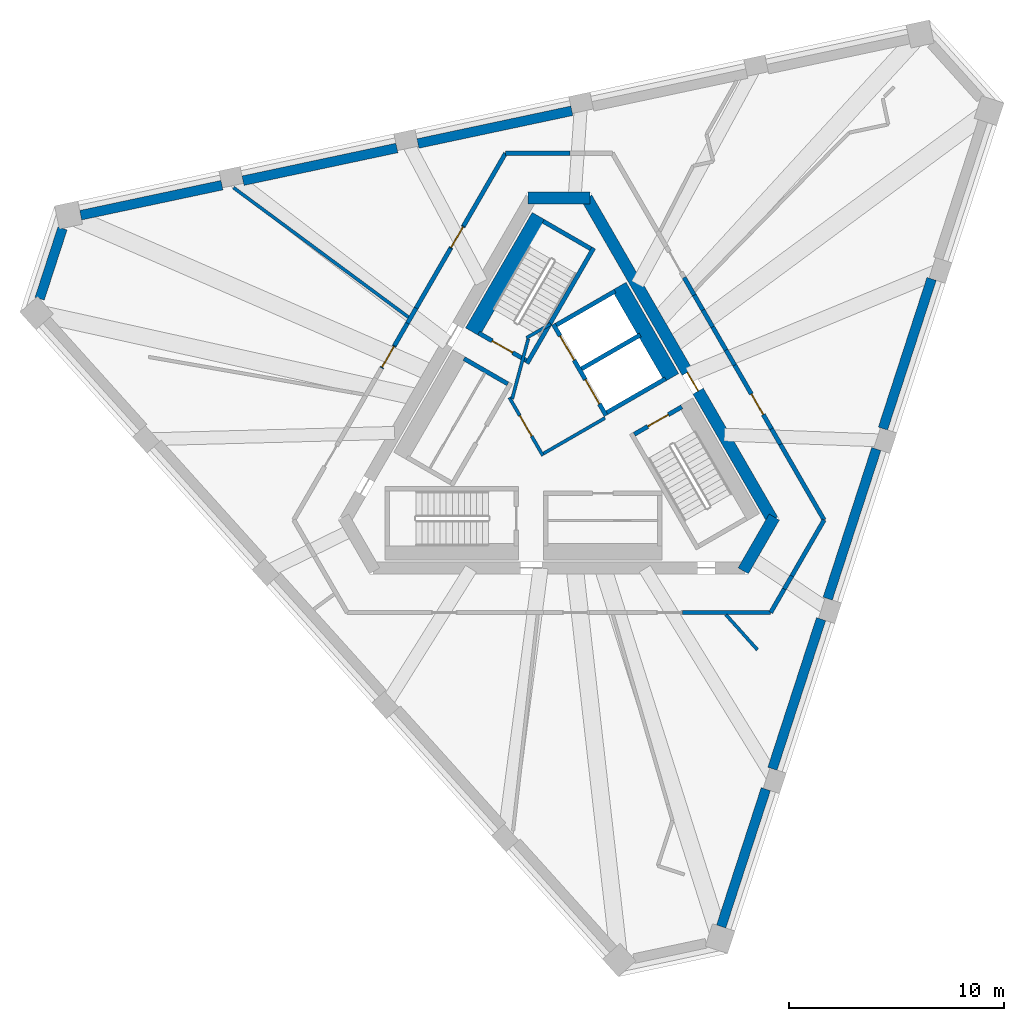
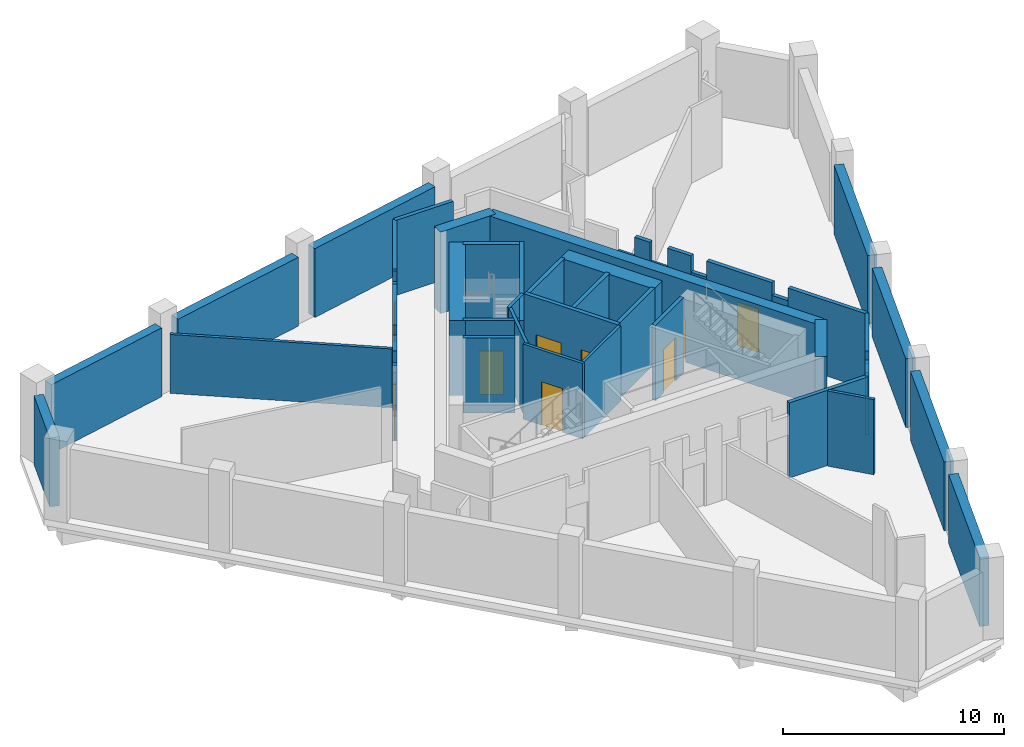
# One storey, part 3 of 5: 47 walls, 9 doors, 9 openings.
"""IFC4 building model written with IfcOpenShell, lengths in metres."""

from ifc_helpers import new_model, si_unit, direction, frame, frame_2d, origin, place, context, subcontext, project, spatial, polyline, rectangle, outline, extrude, material, layer, layer_set, type_object, element, fill, save


model = new_model("IFC4")

# Units and contexts
model_context = context("Model", 3, precision=1e-05, world=origin(), true_north=direction((0.0, 1.0)))
body_context = subcontext(model_context, "Body", "Model", "MODEL_VIEW")
ifc_project = project(units=[si_unit("LENGTHUNIT", "METRE"), si_unit("AREAUNIT", "SQUARE_METRE"), si_unit("VOLUMEUNIT", "CUBIC_METRE"), si_unit("PLANEANGLEUNIT", "RADIAN"), si_unit("MASSUNIT", "GRAM", prefix="KILO")], contexts=[model_context])

# Site, building, storey
site_placement = place(None, origin())
site = spatial("IfcSite", under=ifc_project, at=site_placement, CompositionType="ELEMENT")
building_placement = place(site_placement, origin())
building = spatial("IfcBuilding", under=site, at=building_placement, Name="Tramontana Tower", CompositionType="ELEMENT")
storey_placement = place(building_placement, frame((0.0, 0.0, 370.39990234375)))
storey = spatial("IfcBuildingStorey", under=building, at=storey_placement, Name="L85", CompositionType="ELEMENT", Elevation=370.39990234375)

# Walls
ifc_material_1 = material(Name="Concrete 70 MPa", Category="concrete")
ifc_layer_1 = layer(ifc_material_1, 0.550048828125)
ifc_layer_set_1 = layer_set([ifc_layer_1], Name="Core wall 550 70 MPa")
wall_type_1 = type_object("IfcWallType", Name="Core wall 550 70 MPa", PredefinedType="SHEAR", material=ifc_layer_set_1)
for number, where, z_axis, x_axis, name in (
    (1, (1.443359375, 10.72509765625, 0.0), (0.0, 0.0, 1.0), (-1.0, 0.0, 0.0), "Core wall C0 L85"),
    (2, (8.56640625, -6.612548828125, 0.0), (0.0, 0.0, 1.0), (0.499995765644, 0.866027848477, 0.0), "Core wall C4 L85"),
):
    element("IfcWall", number, at=place(storey_placement, frame(where, z_axis=z_axis, x_axis=x_axis)), inside=storey, type_object=wall_type_1, Name=name, PredefinedType="SHEAR", context=body_context, shape_type="SweptSolid", body=[
        extrude(rectangle(XDim=2.88671875, YDim=0.550048828125, at=frame_2d((1.443359375, 0.0))), origin(), (0.0, 0.0, 1.0), 4.5),
    ])

# Wall, opening, door
wall_1_placement = place(storey_placement, frame((9.930419921875, -4.25, 0.0), z_axis=(0.0, 0.0, 1.0), x_axis=(-0.499994590896, 0.86602852671, 0.0)))
wall_1 = element("IfcWall", 3, at=wall_1_placement, inside=storey, type_object=wall_type_1, Name="Core wall C5 L85", PredefinedType="SHEAR", context=body_context, shape_type="SweptSolid", body=[
    extrude(rectangle(XDim=17.291748046875, YDim=0.550048828125, at=frame_2d((8.64599609375, 0.0))), origin(), (0.0, 0.0, 1.0), 4.5),
])
opening_1_placement = place(wall_1_placement, frame((6.9208984375, 0.0, 0.0)))
opening_1 = element("IfcOpeningElement", 4, at=opening_1_placement, cuts=wall_1, Name="Opening RG3", PredefinedType="OPENING", context=body_context, shape_type="SweptSolid", body=[
    extrude(rectangle(XDim=1.0, YDim=2.39990234375, at=frame_2d((0.5, 1.199951171875))), frame((0.0, 0.284912109375, 0.0), z_axis=(0.0, -1.0, 0.0), x_axis=(1.0, 0.0, 0.0)), (0.0, 0.0, 1.0), 0.570068359375),
])
ifc_material_2 = material(Name="Painted steel", Category="steel")
door_type_1 = type_object("IfcDoorType", Name="RING DOOR 1000", OperationType="SINGLE_SWING_LEFT", PredefinedType="DOOR", material=ifc_material_2)
door_1_placement = place(opening_1_placement, origin())
door_1 = element("IfcDoor", 5, at=door_1_placement, inside=storey, type_object=door_type_1, Name="Door RG3", OperationType="SINGLE_SWING_RIGHT", OverallHeight=2.39990234375, OverallWidth=1.0, PredefinedType="DOOR", context=body_context, shape_type="SweptSolid", body=[
    extrude(rectangle(XDim=1.0, YDim=2.39990234375, at=frame_2d((0.5, 1.199951171875))), frame((0.0, 0.02490234375, 0.0), z_axis=(0.0, -1.0, 0.0), x_axis=(1.0, 0.0, 0.0)), (0.0, 0.0, 1.0), 0.050048828125),
])
fill(opening_1, door_1)

# Walls
ifc_material_3 = material(Name="Blockwork", Category="masonry")
ifc_layer_2 = layer(ifc_material_3, 0.199951171875)
ifc_layer_set_2 = layer_set([ifc_layer_2], Name="ENTRY WALL 200")
wall_type_2 = type_object("IfcWallType", Name="ENTRY WALL 200", PredefinedType="SOLIDWALL", material=ifc_layer_set_2)
wall_2_placement = place(storey_placement, frame((12.326416015625, -4.25, 0.0), z_axis=(0.0, 0.0, 1.0), x_axis=(-0.500003959331, -0.866023117852, 0.0)))
element("IfcWall", 6, at=wall_2_placement, inside=storey, type_object=wall_type_2, Name="Wall ew0-0", PredefinedType="SOLIDWALL", context=body_context, shape_type="SweptSolid", body=[
    extrude(rectangle(XDim=3.0029296875, YDim=0.199951171875, at=frame_2d((1.50146484375, 0.0))), origin(), (0.0, 0.0, 1.0), 4.150146484375),
])
wall_3_placement = place(storey_placement, frame((10.824951171875, -6.8505859375, 0.0), z_axis=(0.0, 0.0, 1.0), x_axis=(-0.500144223137, -0.865942120504, 0.0)))
element("IfcWall", 7, at=wall_3_placement, inside=storey, type_object=wall_type_2, Name="Wall ew0-1", PredefinedType="SOLIDWALL", context=body_context, shape_type="SweptSolid", body=[
    extrude(rectangle(XDim=0.701416015625, YDim=0.199951171875, at=frame_2d((0.3505859375, 0.0))), origin(), (0.0, 0.0, 1.0), 3.4501953125),
])
wall_4_placement = place(storey_placement, frame((10.47412109375, -7.4580078125, 0.0), z_axis=(0.0, 0.0, 1.0), x_axis=(-0.499929168788, -0.866066294342, 0.0)))
element("IfcWall", 8, at=wall_4_placement, inside=storey, type_object=wall_type_2, Name="Wall ew0-2", PredefinedType="SOLIDWALL", context=body_context, shape_type="SweptSolid", body=[
    extrude(rectangle(XDim=1.260986328125, YDim=0.199951171875, at=frame_2d((0.63037109375, 0.0))), origin(), (0.0, 0.0, 1.0), 4.150146484375),
])
wall_5_placement = place(storey_placement, frame((9.84375, -8.550048828125, 0.0), z_axis=(0.0, 0.0, 1.0), x_axis=(-1.0, 0.0, 0.0)))
element("IfcWall", 9, at=wall_5_placement, inside=storey, type_object=wall_type_2, Name="Wall ew1-0", PredefinedType="SOLIDWALL", context=body_context, shape_type="SweptSolid", body=[
    extrude(rectangle(XDim=4.11083984375, YDim=0.199951171875, at=frame_2d((2.055419921875, 0.0))), origin(), (0.0, 0.0, 1.0), 4.150146484375),
])

# Wall, opening, door
wall_6_placement = place(storey_placement, frame((-8.2490234375, 2.812255859375, 0.0), z_axis=(0.0, 0.0, 1.0), x_axis=(0.500033551112, 0.866006032174, 0.0)))
wall_6 = element("IfcWall", 10, at=wall_6_placement, inside=storey, type_object=wall_type_2, Name="Wall ew3-5", PredefinedType="SOLIDWALL", context=body_context, shape_type="SweptSolid", body=[
    extrude(outline(polyline([(0.0, 0.0), (1.2001953125, 0.0), (1.199951171875, 3.050048828125), (0.266845703125, 3.050048828125), (0.266845703125, 4.150146484375), (0.0, 4.150146484375), (0.0, 0.0)])), frame((0.0, 0.10009765625, 0.0), z_axis=(0.0, -1.0, 0.0), x_axis=(1.0, 0.0, 0.0)), (0.0, 0.0, 1.0), 0.199951171875),
])
opening_2_placement = place(wall_6_placement, frame((0.050048828125, 0.0, 0.0)))
opening_2 = element("IfcOpeningElement", 11, at=opening_2_placement, cuts=wall_6, Name="Opening L85-03", PredefinedType="OPENING", context=body_context, shape_type="SweptSolid", body=[
    extrude(rectangle(XDim=1.10009765625, YDim=2.39990234375, at=frame_2d((0.550048828125, 1.199951171875))), frame((0.0, 0.10986328125, 0.0), z_axis=(0.0, -1.0, 0.0), x_axis=(1.0, 0.0, 0.0)), (0.0, 0.0, 1.0), 0.219970703125),
])
ifc_material_4 = material(Name="Painted timber", Category="wood")
door_type_2 = type_object("IfcDoorType", Name="DOOR ENTRY 1100", OperationType="SINGLE_SWING_LEFT", PredefinedType="DOOR", material=ifc_material_4)
door_2_placement = place(opening_2_placement, origin())
door_2 = element("IfcDoor", 12, at=door_2_placement, inside=storey, type_object=door_type_2, Name="Door L85-03", OperationType="SINGLE_SWING_LEFT", OverallHeight=2.39990234375, OverallWidth=1.10009765625, PredefinedType="DOOR", context=body_context, shape_type="SweptSolid", body=[
    extrude(rectangle(XDim=1.10009765625, YDim=2.39990234375, at=frame_2d((0.550048828125, 1.199951171875))), frame((0.0, 0.02490234375, 0.0), z_axis=(0.0, -1.0, 0.0), x_axis=(1.0, 0.0, 0.0)), (0.0, 0.0, 1.0), 0.050048828125),
])
fill(opening_2, door_2)

# Walls
wall_7_placement = place(storey_placement, frame((-7.64892578125, 3.8515625, 0.0), z_axis=(0.0, 0.0, 1.0), x_axis=(0.49989119468, 0.866088213453, 0.0)))
element("IfcWall", 13, at=wall_7_placement, inside=storey, type_object=wall_type_2, Name="Wall ew3-6", PredefinedType="SOLIDWALL", context=body_context, shape_type="SweptSolid", body=[
    extrude(rectangle(XDim=1.210693359375, YDim=0.199951171875, at=frame_2d((0.60546875, 0.0))), origin(), (0.0, 0.0, 1.0), 4.150146484375),
])
wall_8_placement = place(storey_placement, frame((-7.043701171875, 4.900146484375, 0.0), z_axis=(0.0, 0.0, 1.0), x_axis=(0.500141487433, 0.865943700565, 0.0)))
element("IfcWall", 14, at=wall_8_placement, inside=storey, type_object=wall_type_2, Name="Wall ew3-7", PredefinedType="SOLIDWALL", context=body_context, shape_type="SweptSolid", body=[
    extrude(rectangle(XDim=0.806884765625, YDim=0.199951171875, at=frame_2d((0.4033203125, 0.0))), origin(), (0.0, 0.0, 1.0), 3.25),
])
wall_9_placement = place(storey_placement, frame((-6.64013671875, 5.598876953125, 0.0), z_axis=(0.0, 0.0, 1.0), x_axis=(0.49996417229, 0.866046087934, 0.0)))
element("IfcWall", 15, at=wall_9_placement, inside=storey, type_object=wall_type_2, Name="Wall ew3-8", PredefinedType="SOLIDWALL", context=body_context, shape_type="SweptSolid", body=[
    extrude(rectangle(XDim=3.205810546875, YDim=0.199951171875, at=frame_2d((1.60302734375, 0.0))), origin(), (0.0, 0.0, 1.0), 4.150146484375),
])

# Wall, opening, door
wall_10_placement = place(storey_placement, frame((-5.037353515625, 8.375244140625, 0.0), z_axis=(0.0, 0.0, 1.0), x_axis=(0.50012165622, 0.865955154139, 0.0)))
wall_10 = element("IfcWall", 16, at=wall_10_placement, inside=storey, type_object=wall_type_2, Name="Wall ew3-9", PredefinedType="SOLIDWALL", context=body_context, shape_type="SweptSolid", body=[
    extrude(outline(polyline([(0.0, 0.0), (1.199951171875, 0.0), (1.199951171875, 4.150146484375), (1.043701171875, 4.150146484375), (1.043701171875, 3.4501953125), (0.21728515625, 3.4501953125), (0.21728515625, 4.150146484375), (0.0, 4.150146484375), (0.0, 0.0)])), frame((0.0, 0.10009765625, 0.0), z_axis=(0.0, -1.0, 0.0), x_axis=(1.0, 0.0, 0.0)), (0.0, 0.0, 1.0), 0.199951171875),
])
opening_3_placement = place(wall_10_placement, frame((0.050048828125, 0.0, 0.0)))
opening_3 = element("IfcOpeningElement", 17, at=opening_3_placement, cuts=wall_10, Name="Opening L85-02", PredefinedType="OPENING", context=body_context, shape_type="SweptSolid", body=[
    extrude(rectangle(XDim=1.10009765625, YDim=2.39990234375, at=frame_2d((0.550048828125, 1.199951171875))), frame((0.0, 0.10986328125, 0.0), z_axis=(0.0, -1.0, 0.0), x_axis=(1.0, 0.0, 0.0)), (0.0, 0.0, 1.0), 0.219970703125),
])
door_3_placement = place(opening_3_placement, origin())
door_3 = element("IfcDoor", 18, at=door_3_placement, inside=storey, type_object=door_type_2, Name="Door L85-02", OperationType="SINGLE_SWING_RIGHT", OverallHeight=2.39990234375, OverallWidth=1.10009765625, PredefinedType="DOOR", context=body_context, shape_type="SweptSolid", body=[
    extrude(rectangle(XDim=1.10009765625, YDim=2.39990234375, at=frame_2d((0.550048828125, 1.199951171875))), frame((0.0, 0.02490234375, 0.0), z_axis=(0.0, -1.0, 0.0), x_axis=(1.0, 0.0, 0.0)), (0.0, 0.0, 1.0), 0.050048828125),
])
fill(opening_3, door_3)

# Walls
wall_11_placement = place(storey_placement, frame((-4.437255859375, 9.414306640625, 0.0), z_axis=(0.0, 0.0, 1.0), x_axis=(0.499967516757, 0.866044157181, 0.0)))
element("IfcWall", 19, at=wall_11_placement, inside=storey, type_object=wall_type_2, Name="Wall ew3-10", PredefinedType="SOLIDWALL", context=body_context, shape_type="SweptSolid", body=[
    extrude(rectangle(XDim=3.909423828125, YDim=0.199951171875, at=frame_2d((1.95458984375, 0.0))), origin(), (0.0, 0.0, 1.0), 4.150146484375),
])
wall_12_placement = place(storey_placement, frame((-2.482666015625, 12.800048828125, 0.0), z_axis=(0.0, 0.0, 1.0), x_axis=(1.0, 0.0, 0.0)))
element("IfcWall", 20, at=wall_12_placement, inside=storey, type_object=wall_type_2, Name="Wall ew4-0", PredefinedType="SOLIDWALL", context=body_context, shape_type="SweptSolid", body=[
    extrude(rectangle(XDim=3.0029296875, YDim=0.199951171875, at=frame_2d((1.50146484375, 0.0))), origin(), (0.0, 0.0, 1.0), 4.150146484375),
])
wall_13_placement = place(storey_placement, frame((5.818115234375, 7.022705078125, 0.0), z_axis=(0.0, 0.0, 1.0), x_axis=(0.500006071987, -0.866021898093, 0.0)))
element("IfcWall", 21, at=wall_13_placement, inside=storey, type_object=wall_type_2, Name="Wall ew5-3", PredefinedType="SOLIDWALL", context=body_context, shape_type="SweptSolid", body=[
    extrude(rectangle(XDim=0.94384765625, YDim=0.199951171875, at=frame_2d((0.471923828125, 0.0))), origin(), (0.0, 0.0, 1.0), 3.050048828125),
])
wall_14_placement = place(storey_placement, frame((6.2900390625, 6.205322265625, 0.0), z_axis=(0.0, 0.0, 1.0), x_axis=(0.500045602705, -0.86599907345, 0.0)))
element("IfcWall", 22, at=wall_14_placement, inside=storey, type_object=wall_type_2, Name="Wall ew5-4", PredefinedType="SOLIDWALL", context=body_context, shape_type="SweptSolid", body=[
    extrude(rectangle(XDim=0.806640625, YDim=0.199951171875, at=frame_2d((0.4033203125, 0.0))), origin(), (0.0, 0.0, 1.0), 4.150146484375),
])
wall_15_placement = place(storey_placement, frame((6.693359375, 5.5068359375, 0.0), z_axis=(0.0, 0.0, 1.0), x_axis=(0.499994660107, -0.866028486751, 0.0)))
element("IfcWall", 23, at=wall_15_placement, inside=storey, type_object=wall_type_2, Name="Wall ew5-5", PredefinedType="SOLIDWALL", context=body_context, shape_type="SweptSolid", body=[
    extrude(rectangle(XDim=0.90576171875, YDim=0.199951171875, at=frame_2d((0.452880859375, 0.0))), origin(), (0.0, 0.0, 1.0), 3.050048828125),
])
wall_16_placement = place(storey_placement, frame((7.146240234375, 4.722412109375, 0.0), z_axis=(0.0, 0.0, 1.0), x_axis=(0.499955681623, -0.866050989499, 0.0)))
element("IfcWall", 24, at=wall_16_placement, inside=storey, type_object=wall_type_2, Name="Wall ew5-6", PredefinedType="SOLIDWALL", context=body_context, shape_type="SweptSolid", body=[
    extrude(rectangle(XDim=1.23828125, YDim=0.199951171875, at=frame_2d((0.619140625, 0.0))), origin(), (0.0, 0.0, 1.0), 4.150146484375),
])
wall_17_placement = place(storey_placement, frame((7.765380859375, 3.64990234375, 0.0), z_axis=(0.0, 0.0, 1.0), x_axis=(0.500141487433, -0.865943700565, 0.0)))
element("IfcWall", 25, at=wall_17_placement, inside=storey, type_object=wall_type_2, Name="Wall ew5-7", PredefinedType="SOLIDWALL", context=body_context, shape_type="SweptSolid", body=[
    extrude(rectangle(XDim=0.806884765625, YDim=0.199951171875, at=frame_2d((0.4033203125, 0.0))), origin(), (0.0, 0.0, 1.0), 3.25),
])

# Wall, opening, door
wall_18_placement = place(storey_placement, frame((8.1689453125, 2.951171875, 0.0), z_axis=(0.0, 0.0, 1.0), x_axis=(0.499959115548, -0.866049007147, 0.0)))
wall_18 = element("IfcWall", 26, at=wall_18_placement, inside=storey, type_object=wall_type_2, Name="Wall ew5-8", PredefinedType="SOLIDWALL", context=body_context, shape_type="SweptSolid", body=[
    extrude(rectangle(XDim=3.423095703125, YDim=0.199951171875, at=frame_2d((1.71142578125, 0.0))), origin(), (0.0, 0.0, 1.0), 4.150146484375),
])
opening_4_placement = place(wall_18_placement, frame((1.55810546875, 0.0, 0.0)))
opening_4 = element("IfcOpeningElement", 27, at=opening_4_placement, cuts=wall_18, Name="Opening L85-08", PredefinedType="OPENING", context=body_context, shape_type="SweptSolid", body=[
    extrude(rectangle(XDim=1.10009765625, YDim=2.39990234375, at=frame_2d((0.550048828125, 1.199951171875))), frame((0.0, 0.10986328125, 0.0), z_axis=(0.0, -1.0, 0.0), x_axis=(1.0, 0.0, 0.0)), (0.0, 0.0, 1.0), 0.219970703125),
])
door_4_placement = place(opening_4_placement, origin())
door_4 = element("IfcDoor", 28, at=door_4_placement, inside=storey, type_object=door_type_2, Name="Door L85-08", OperationType="SINGLE_SWING_RIGHT", OverallHeight=2.39990234375, OverallWidth=1.10009765625, PredefinedType="DOOR", context=body_context, shape_type="SweptSolid", body=[
    extrude(rectangle(XDim=1.10009765625, YDim=2.39990234375, at=frame_2d((0.550048828125, 1.199951171875))), frame((0.0, 0.02490234375, 0.0), z_axis=(0.0, -1.0, 0.0), x_axis=(1.0, 0.0, 0.0)), (0.0, 0.0, 1.0), 0.050048828125),
])
fill(opening_4, door_4)

# Walls
wall_19_placement = place(storey_placement, frame((9.88037109375, -0.013427734375, 0.0), z_axis=(0.0, 0.0, 1.0), x_axis=(0.499952654668, -0.866052736899, 0.0)))
element("IfcWall", 29, at=wall_19_placement, inside=storey, type_object=wall_type_2, Name="Wall ew5-9", PredefinedType="SOLIDWALL", context=body_context, shape_type="SweptSolid", body=[
    extrude(rectangle(XDim=0.826171875, YDim=0.199951171875, at=frame_2d((0.4130859375, 0.0))), origin(), (0.0, 0.0, 1.0), 3.4501953125),
])
wall_20_placement = place(storey_placement, frame((10.29345703125, -0.72900390625, 0.0), z_axis=(0.0, 0.0, 1.0), x_axis=(0.50002046505, -0.86601358796, 0.0)))
element("IfcWall", 30, at=wall_20_placement, inside=storey, type_object=wall_type_2, Name="Wall ew5-10", PredefinedType="SOLIDWALL", context=body_context, shape_type="SweptSolid", body=[
    extrude(rectangle(XDim=4.065673828125, YDim=0.199951171875, at=frame_2d((2.03271484375, 0.0))), origin(), (0.0, 0.0, 1.0), 4.150146484375),
])
ifc_material_5 = material(Name="Precast concrete 60 MPa", Category="concrete")
ifc_layer_3 = layer(ifc_material_5, 0.449951171875)
ifc_layer_set_3 = layer_set([ifc_layer_3], Name="Precast concrete 60 MPa, 450 mm")
wall_type_3 = type_object("IfcWallType", Name="EW1 Stone-faced precast wall 450", PredefinedType="SOLIDWALL", material=ifc_layer_set_3)
wall_21_placement = place(storey_placement, frame((-23.0791015625, 9.304931640625, 0.0), z_axis=(0.0, 0.0, 1.0), x_axis=(-0.309076430482, -0.95103720228, 0.0)))
element("IfcWall", 31, at=wall_21_placement, inside=storey, type_object=wall_type_3, Name="Stone band wall L85 face 0k 1", PredefinedType="SOLIDWALL", context=body_context, shape_type="SweptSolid", body=[
    extrude(rectangle(XDim=3.435302734375, YDim=0.449951171875, at=frame_2d((1.7177734375, 0.0))), origin(), (0.0, 0.0, 1.0), 3.800048828125),
])
wall_22_placement = place(storey_placement, frame((7.541015625, -23.14794921875, 0.0), z_axis=(0.0, 0.0, 1.0), x_axis=(0.309018647645, 0.951055979114, 0.0)))
element("IfcWall", 32, at=wall_22_placement, inside=storey, type_object=wall_type_3, Name="Stone band wall L85 face 1s 1", PredefinedType="SOLIDWALL", context=body_context, shape_type="SweptSolid", body=[
    extrude(rectangle(XDim=6.7138671875, YDim=0.449951171875, at=frame_2d((3.35693359375, 0.0))), origin(), (0.0, 0.0, 1.0), 3.800048828125),
])
for number, where, z_axis, x_axis, name in (
    (33, (9.9248046875, -15.8115234375, 0.0), (0.0, 0.0, 1.0), (0.309008326872, 0.951059332494, 0.0), "Stone band wall L85 face 1s 2"),
    (34, (12.493896484375, -7.904541015625, 0.0), (0.0, 0.0, 1.0), (0.309008326872, 0.951059332494, 0.0), "Stone band wall L85 face 1s 3"),
    (35, (15.06298828125, 0.00244140625, 0.0), (0.0, 0.0, 1.0), (0.309008326872, 0.951059332494, 0.0), "Stone band wall L85 face 1s 4"),
):
    element("IfcWall", number, at=place(storey_placement, frame(where, z_axis=z_axis, x_axis=x_axis)), inside=storey, type_object=wall_type_3, Name=name, PredefinedType="SOLIDWALL", context=body_context, shape_type="SweptSolid", body=[
        extrude(rectangle(XDim=7.313720703125, YDim=0.449951171875, at=frame_2d((3.65673828125, 0.0))), origin(), (0.0, 0.0, 1.0), 3.800048828125),
    ])
wall_23_placement = place(storey_placement, frame((-15.665771484375, 11.315185546875, 0.0), z_axis=(0.0, 0.0, 1.0), x_axis=(-0.978144338977, -0.207927035587, 0.0)))
element("IfcWall", 36, at=wall_23_placement, inside=storey, type_object=wall_type_3, Name="Stone band wall L85 face 2s 1", PredefinedType="SOLIDWALL", context=body_context, shape_type="SweptSolid", body=[
    extrude(rectangle(XDim=6.7138671875, YDim=0.449951171875, at=frame_2d((3.35693359375, 0.0))), origin(), (0.0, 0.0, 1.0), 3.800048828125),
])
for number, where, z_axis, x_axis, name in (
    (37, (-7.533447265625, 13.043701171875, 0.0), (0.0, 0.0, 1.0), (-0.978151299843, -0.207894287118, 0.0), "Stone band wall L85 face 2s 2"),
    (38, (0.5986328125, 14.772216796875, 0.0), (0.0, 0.0, 1.0), (-0.978151299843, -0.207894287118, 0.0), "Stone band wall L85 face 2s 3"),
):
    element("IfcWall", number, at=place(storey_placement, frame(where, z_axis=z_axis, x_axis=x_axis)), inside=storey, type_object=wall_type_3, Name=name, PredefinedType="SOLIDWALL", context=body_context, shape_type="SweptSolid", body=[
        extrude(rectangle(XDim=7.31396484375, YDim=0.449951171875, at=frame_2d((3.656982421875, 0.0))), origin(), (0.0, 0.0, 1.0), 3.800048828125),
    ])

# Wall, opening, door
ifc_material_6 = material(Name="Gypsum board partition")
ifc_layer_4 = layer(ifc_material_6, 0.14990234375)
ifc_layer_set_4 = layer_set([ifc_layer_4], Name="PARTITION 150")
wall_type_4 = type_object("IfcWallType", Name="PARTITION 150", PredefinedType="PARTITIONING", material=ifc_layer_set_4)
wall_24_placement = place(storey_placement, frame((-0.744140625, -1.260986328125, 0.0), z_axis=(0.0, 0.0, 1.0), x_axis=(-0.500004234368, 0.866022959057, 0.0)))
wall_24 = element("IfcWall", 39, at=wall_24_placement, inside=storey, type_object=wall_type_4, Name="Wall ff-front", PredefinedType="PARTITIONING", context=body_context, shape_type="SweptSolid", body=[
    extrude(rectangle(XDim=3.125, YDim=0.14990234375, at=frame_2d((1.5625, 0.0))), origin(), (0.0, 0.0, 1.0), 4.150146484375),
])
opening_5_placement = place(wall_24_placement, frame((1.050048828125, 0.0, 0.0)))
opening_5 = element("IfcOpeningElement", 40, at=opening_5_placement, cuts=wall_24, Name="Opening FD1", PredefinedType="OPENING", context=body_context, shape_type="SweptSolid", body=[
    extrude(rectangle(XDim=1.10009765625, YDim=2.39990234375, at=frame_2d((0.550048828125, 1.199951171875))), frame((0.0, 0.0849609375, 0.0), z_axis=(0.0, -1.0, 0.0), x_axis=(1.0, 0.0, 0.0)), (0.0, 0.0, 1.0), 0.169921875),
])
door_5_placement = place(opening_5_placement, origin())
door_5 = element("IfcDoor", 41, at=door_5_placement, inside=storey, type_object=door_type_2, Name="Door FD1", OperationType="SINGLE_SWING_LEFT", OverallHeight=2.39990234375, OverallWidth=1.10009765625, PredefinedType="DOOR", context=body_context, shape_type="SweptSolid", body=[
    extrude(rectangle(XDim=1.10009765625, YDim=2.39990234375, at=frame_2d((0.550048828125, 1.199951171875))), frame((0.0, 0.02490234375, 0.0), z_axis=(0.0, -1.0, 0.0), x_axis=(1.0, 0.0, 0.0)), (0.0, 0.0, 1.0), 0.050048828125),
])
fill(opening_5, door_5)

# Walls
wall_25_placement = place(storey_placement, frame((-0.716796875, -1.15869140625, 0.0), z_axis=(0.0, 0.0, 1.0), x_axis=(0.866008176907, 0.50002983664, 0.0)))
element("IfcWall", 42, at=wall_25_placement, inside=storey, type_object=wall_type_4, Name="Wall ff-end0", PredefinedType="PARTITIONING", context=body_context, shape_type="SweptSolid", body=[
    extrude(rectangle(XDim=3.300048828125, YDim=0.14990234375, at=frame_2d((1.64990234375, 0.0))), origin(), (0.0, 0.0, 1.0), 4.150146484375),
])
wall_26_placement = place(storey_placement, frame((-2.177978515625, 1.372314453125, 0.0), z_axis=(0.0, 0.0, 1.0), x_axis=(0.258808958833, 0.96592852884, 0.0)))
element("IfcWall", 43, at=wall_26_placement, inside=storey, type_object=wall_type_4, Name="Wall ff-diag", PredefinedType="PARTITIONING", context=body_context, shape_type="SweptSolid", body=[
    extrude(rectangle(XDim=2.902587890625, YDim=0.14990234375, at=frame_2d((1.451171875, 0.0))), origin(), (0.0, 0.0, 1.0), 4.150146484375),
])
wall_27_placement = place(storey_placement, frame((-1.509765625, 4.21484375, 0.0), z_axis=(0.0, 0.0, 1.0), x_axis=(0.866085525409, 0.49989585183, 0.0)))
element("IfcWall", 44, at=wall_27_placement, inside=storey, type_object=wall_type_4, Name="Wall ff-end1", PredefinedType="PARTITIONING", context=body_context, shape_type="SweptSolid", body=[
    extrude(rectangle(XDim=1.300048828125, YDim=0.14990234375, at=frame_2d((0.64990234375, 0.0))), origin(), (0.0, 0.0, 1.0), 4.150146484375),
])
wall_28_placement = place(storey_placement, frame((-6.997802734375, 5.1796875, 0.0), z_axis=(0.0, 0.0, 1.0), x_axis=(-0.803760198744, 0.594953395582, 0.0)))
element("IfcWall", 45, at=wall_28_placement, inside=storey, type_object=wall_type_4, Name="Wall fw-pw03-0", PredefinedType="PARTITIONING", context=body_context, shape_type="SweptSolid", body=[
    extrude(rectangle(XDim=10.1171875, YDim=0.14990234375, at=frame_2d((5.05859375, 0.0))), origin(), (0.0, 0.0, 1.0), 3.25),
])
wall_29_placement = place(storey_placement, frame((7.76025390625, -8.650146484375, 0.0), z_axis=(0.0, 0.0, 1.0), x_axis=(0.667813245051, -0.744328872028, 0.0)))
element("IfcWall", 46, at=wall_29_placement, inside=storey, type_object=wall_type_4, Name="Wall fw-pw13", PredefinedType="PARTITIONING", context=body_context, shape_type="SweptSolid", body=[
    extrude(rectangle(XDim=2.192138671875, YDim=0.14990234375, at=frame_2d((1.09619140625, 0.0))), origin(), (0.0, 0.0, 1.0), 4.150146484375),
])
ifc_material_7 = material(Name="Concrete 70 MPa", Category="concrete")
ifc_layer_5 = layer(ifc_material_7, 0.75)
ifc_layer_set_5 = layer_set([ifc_layer_5], Name="Concrete 70 MPa, 750 mm")
wall_type_5 = type_object("IfcWallType", Name="RC SHAFT BACK WALL 750", PredefinedType="SOLIDWALL", material=ifc_layer_set_5)
wall_30_placement = place(storey_placement, frame((-0.91796875, 9.85986328125, 0.0), z_axis=(0.0, 0.0, 1.0), x_axis=(-0.500026960575, -0.86600983753, 0.0)))
element("IfcWall", 47, at=wall_30_placement, inside=storey, type_object=wall_type_5, Name="Wall st1-back", PredefinedType="SOLIDWALL", context=body_context, shape_type="SweptSolid", body=[
    extrude(rectangle(XDim=6.199951171875, YDim=0.75, at=frame_2d((3.10009765625, 0.0))), origin(), (0.0, 0.0, 1.0), 4.150146484375),
])
wall_31_placement = place(storey_placement, frame((5.242919921875, 2.368896484375, 0.0), z_axis=(0.0, 0.0, 1.0), x_axis=(-0.500002801628, 0.866023786258, 0.0)))
element("IfcWall", 48, at=wall_31_placement, inside=storey, type_object=wall_type_5, Name="Wall row2-back", PredefinedType="SOLIDWALL", context=body_context, shape_type="SweptSolid", body=[
    extrude(rectangle(XDim=4.89990234375, YDim=0.75, at=frame_2d((2.449951171875, 0.0))), origin(), (0.0, 0.0, 1.0), 4.150146484375),
])
ifc_material_8 = material(Name="Concrete 70 MPa", Category="concrete")
ifc_layer_6 = layer(ifc_material_8, 0.199951171875)
ifc_layer_set_6 = layer_set([ifc_layer_6], Name="Concrete 70 MPa, 200 mm")
wall_type_6 = type_object("IfcWallType", Name="RC STAIR AND SHAFT WALL 200", PredefinedType="SOLIDWALL", material=ifc_layer_set_6)
wall_32_placement = place(storey_placement, frame((1.615234375, 8.3974609375, 0.0), z_axis=(0.0, 0.0, 1.0), x_axis=(-0.500009909098, -0.866019682689, 0.0)))
element("IfcWall", 49, at=wall_32_placement, inside=storey, type_object=wall_type_6, Name="Wall st1-front", PredefinedType="SOLIDWALL", context=body_context, shape_type="SweptSolid", body=[
    extrude(rectangle(XDim=6.199951171875, YDim=0.199951171875, at=frame_2d((3.10009765625, 0.0))), origin(), (0.0, 0.0, 1.0), 4.150146484375),
])
wall_33_placement = place(storey_placement, frame((1.478515625, 8.36083984375, 0.0), z_axis=(0.0, 0.0, 1.0), x_axis=(-0.865989465428, 0.500062241894, 0.0)))
element("IfcWall", 50, at=wall_33_placement, inside=storey, type_object=wall_type_6, Name="Wall st1-far", PredefinedType="SOLIDWALL", context=body_context, shape_type="SweptSolid", body=[
    extrude(rectangle(XDim=2.550048828125, YDim=0.199951171875, at=frame_2d((1.27490234375, 0.0))), origin(), (0.0, 0.0, 1.0), 4.150146484375),
])

# Wall, opening, door
wall_34_placement = place(storey_placement, frame((-1.521484375, 3.164794921875, 0.0), z_axis=(0.0, 0.0, 1.0), x_axis=(-0.866030925526, 0.499990435942, 0.0)))
wall_34 = element("IfcWall", 51, at=wall_34_placement, inside=storey, type_object=wall_type_6, Name="Wall st1-near", PredefinedType="SOLIDWALL", context=body_context, shape_type="SweptSolid", body=[
    extrude(rectangle(XDim=2.5498046875, YDim=0.199951171875, at=frame_2d((1.27490234375, 0.0))), origin(), (0.0, 0.0, 1.0), 4.150146484375),
])
opening_6_placement = place(wall_34_placement, frame((0.72509765625, 0.0, 0.0)))
opening_6 = element("IfcOpeningElement", 52, at=opening_6_placement, cuts=wall_34, Name="Opening SD1", PredefinedType="OPENING", context=body_context, shape_type="SweptSolid", body=[
    extrude(rectangle(XDim=1.10009765625, YDim=2.39990234375, at=frame_2d((0.550048828125, 1.199951171875))), frame((0.0, 0.10986328125, 0.0), z_axis=(0.0, -1.0, 0.0), x_axis=(1.0, 0.0, 0.0)), (0.0, 0.0, 1.0), 0.219970703125),
])
ifc_material_9 = material(Name="Painted steel", Category="steel")
door_type_3 = type_object("IfcDoorType", Name="STAIR DOOR 1100", OperationType="SINGLE_SWING_LEFT", PredefinedType="DOOR", material=ifc_material_9)
door_6_placement = place(opening_6_placement, origin())
door_6 = element("IfcDoor", 53, at=door_6_placement, inside=storey, type_object=door_type_3, Name="Door SD1", OperationType="SINGLE_SWING_RIGHT", OverallHeight=2.39990234375, OverallWidth=1.10009765625, PredefinedType="DOOR", context=body_context, shape_type="SweptSolid", body=[
    extrude(rectangle(XDim=1.10009765625, YDim=2.39990234375, at=frame_2d((0.550048828125, 1.199951171875))), frame((0.0, 0.02490234375, 0.0), z_axis=(0.0, -1.0, 0.0), x_axis=(1.0, 0.0, 0.0)), (0.0, 0.0, 1.0), 0.050048828125),
])
fill(opening_6, door_6)

wall_35_placement = place(storey_placement, frame((3.50146484375, -0.2646484375, 0.0), z_axis=(0.0, 0.0, 1.0), x_axis=(0.866030925526, 0.499990435942, 0.0)))
wall_35 = element("IfcWall", 54, at=wall_35_placement, inside=storey, type_object=wall_type_6, Name="Wall st3-near", PredefinedType="SOLIDWALL", context=body_context, shape_type="SweptSolid", body=[
    extrude(rectangle(XDim=2.5498046875, YDim=0.199951171875, at=frame_2d((1.27490234375, 0.0))), origin(), (0.0, 0.0, 1.0), 4.150146484375),
])
opening_7_placement = place(wall_35_placement, frame((0.72509765625, 0.0, 0.0)))
opening_7 = element("IfcOpeningElement", 55, at=opening_7_placement, cuts=wall_35, Name="Opening SD3", PredefinedType="OPENING", context=body_context, shape_type="SweptSolid", body=[
    extrude(rectangle(XDim=1.10009765625, YDim=2.39990234375, at=frame_2d((0.550048828125, 1.199951171875))), frame((0.0, 0.10986328125, 0.0), z_axis=(0.0, -1.0, 0.0), x_axis=(1.0, 0.0, 0.0)), (0.0, 0.0, 1.0), 0.219970703125),
])
door_7_placement = place(opening_7_placement, origin())
door_7 = element("IfcDoor", 56, at=door_7_placement, inside=storey, type_object=door_type_3, Name="Door SD3", OperationType="SINGLE_SWING_RIGHT", OverallHeight=2.39990234375, OverallWidth=1.10009765625, PredefinedType="DOOR", context=body_context, shape_type="SweptSolid", body=[
    extrude(rectangle(XDim=1.10009765625, YDim=2.39990234375, at=frame_2d((0.550048828125, 1.199951171875))), frame((0.0, 0.02490234375, 0.0), z_axis=(0.0, -1.0, 0.0), x_axis=(1.0, 0.0, 0.0)), (0.0, 0.0, 1.0), 0.050048828125),
])
fill(opening_7, door_7)

# Wall
wall_36_placement = place(storey_placement, frame((-2.379638671875, 2.078369140625, 0.0), z_axis=(0.0, 0.0, 1.0), x_axis=(-0.866061024631, 0.499938297808, 0.0)))
element("IfcWall", 57, at=wall_36_placement, inside=storey, type_object=wall_type_6, Name="Wall row0-side0", PredefinedType="SOLIDWALL", context=body_context, shape_type="SweptSolid", body=[
    extrude(rectangle(XDim=2.349853515625, YDim=0.199951171875, at=frame_2d((1.1748046875, 0.0))), origin(), (0.0, 0.0, 1.0), 4.150146484375),
])

# Wall, openings, doors
wall_37_placement = place(storey_placement, frame((2.190185546875, 0.6064453125, 0.0), z_axis=(0.0, 0.0, 1.0), x_axis=(-0.500002801628, 0.866023786258, 0.0)))
wall_37 = element("IfcWall", 58, at=wall_37_placement, inside=storey, type_object=wall_type_6, Name="Wall row2-front", PredefinedType="SOLIDWALL", context=body_context, shape_type="SweptSolid", body=[
    extrude(rectangle(XDim=4.89990234375, YDim=0.199951171875, at=frame_2d((2.449951171875, 0.0))), origin(), (0.0, 0.0, 1.0), 4.150146484375),
])
opening_8_placement = place(wall_37_placement, frame((0.625, 0.0, 0.0)))
opening_8 = element("IfcOpeningElement", 59, at=opening_8_placement, cuts=wall_37, Name="Opening LD-F1", PredefinedType="OPENING", context=body_context, shape_type="SweptSolid", body=[
    extrude(rectangle(XDim=1.300048828125, YDim=2.10009765625, at=frame_2d((0.64990234375, 1.050048828125))), frame((0.0, 0.10986328125, 0.0), z_axis=(0.0, -1.0, 0.0), x_axis=(1.0, 0.0, 0.0)), (0.0, 0.0, 1.0), 0.219970703125),
])
opening_9_placement = place(wall_37_placement, frame((2.97509765625, 0.0, 0.0)))
opening_9 = element("IfcOpeningElement", 60, at=opening_9_placement, cuts=wall_37, Name="Opening LD-F2", PredefinedType="OPENING", context=body_context, shape_type="SweptSolid", body=[
    extrude(rectangle(XDim=1.300048828125, YDim=2.10009765625, at=frame_2d((0.64990234375, 1.050048828125))), frame((0.0, 0.10986328125, 0.0), z_axis=(0.0, -1.0, 0.0), x_axis=(1.0, 0.0, 0.0)), (0.0, 0.0, 1.0), 0.219970703125),
])
ifc_material_10 = material(Name="Brushed steel", Category="steel")
door_type_4 = type_object("IfcDoorType", Name="LANDING DOOR 1300", OperationType="SINGLE_SWING_LEFT", PredefinedType="DOOR", material=ifc_material_10)
door_8_placement = place(opening_8_placement, origin())
door_8 = element("IfcDoor", 61, at=door_8_placement, inside=storey, type_object=door_type_4, Name="Door LD-F1", OperationType="SLIDING_TO_LEFT", OverallHeight=2.10009765625, OverallWidth=1.300048828125, PredefinedType="DOOR", context=body_context, shape_type="SweptSolid", body=[
    extrude(rectangle(XDim=1.300048828125, YDim=2.10009765625, at=frame_2d((0.64990234375, 1.050048828125))), frame((0.0, 0.02490234375, 0.0), z_axis=(0.0, -1.0, 0.0), x_axis=(1.0, 0.0, 0.0)), (0.0, 0.0, 1.0), 0.050048828125),
])
fill(opening_8, door_8)
door_9_placement = place(opening_9_placement, origin())
door_9 = element("IfcDoor", 62, at=door_9_placement, inside=storey, type_object=door_type_4, Name="Door LD-F2", OperationType="SLIDING_TO_RIGHT", OverallHeight=2.10009765625, OverallWidth=1.300048828125, PredefinedType="DOOR", context=body_context, shape_type="SweptSolid", body=[
    extrude(rectangle(XDim=1.300048828125, YDim=2.10009765625, at=frame_2d((0.64990234375, 1.050048828125))), frame((0.0, 0.02490234375, 0.0), z_axis=(0.0, -1.0, 0.0), x_axis=(1.0, 0.0, 0.0)), (0.0, 0.0, 1.0), 0.050048828125),
])
fill(opening_9, door_9)

# Walls
for number, where, z_axis, x_axis, name in (
    (63, (2.226806640625, 0.742919921875, 0.0), (0.0, 0.0, 1.0), (0.866035871367, 0.499981869177, 0.0), "Wall row2-side0"),
    (64, (1.0517578125, 2.778076171875, 0.0), (0.0, 0.0, 1.0), (0.866035871367, 0.499981869177, 0.0), "Wall row2-side1"),
    (65, (-0.123046875, 4.813232421875, 0.0), (0.0, 0.0, 1.0), (0.866016494683, 0.500015430699, 0.0), "Wall row2-side2"),
):
    element("IfcWall", number, at=place(storey_placement, frame(where, z_axis=z_axis, x_axis=x_axis)), inside=storey, type_object=wall_type_6, Name=name, PredefinedType="SOLIDWALL", context=body_context, shape_type="SweptSolid", body=[
        extrude(rectangle(XDim=3.14990234375, YDim=0.199951171875, at=frame_2d((1.574951171875, 0.0))), origin(), (0.0, 0.0, 1.0), 4.150146484375),
    ])

save(model, "model.ifc")
